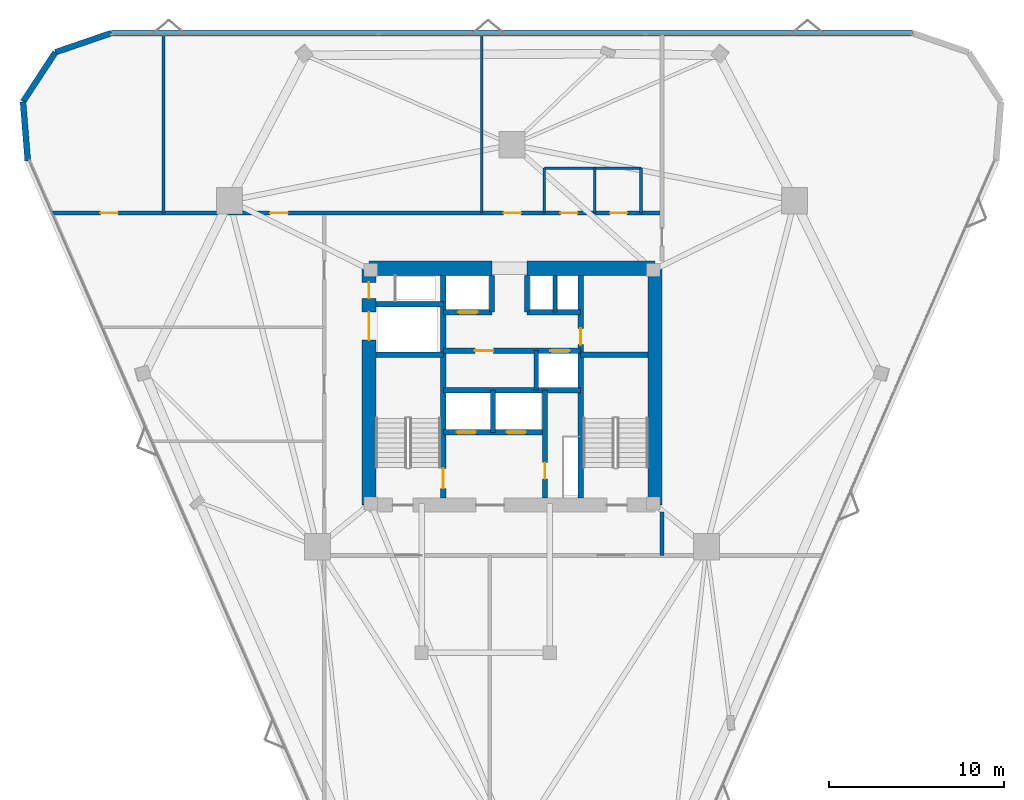
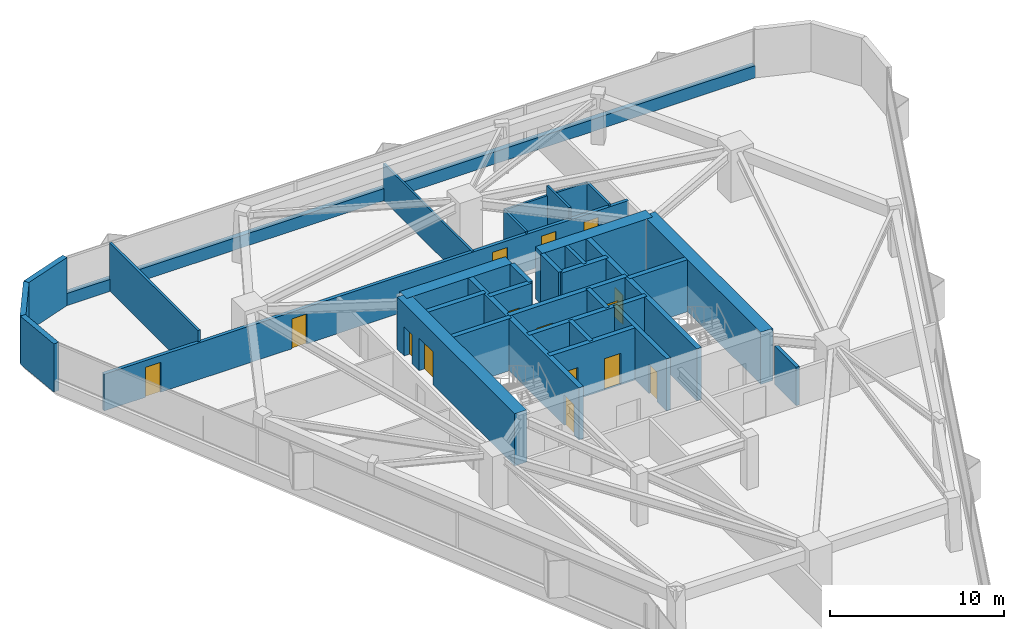
# One storey, part 9 of 11: 32 walls, 15 doors, 15 openings.
"""IFC4 building model written with IfcOpenShell, lengths in metres."""

from ifc_helpers import new_model, si_unit, direction, frame, frame_2d, origin, place, context, subcontext, project, spatial, rectangle, extrude, material, layer, layer_set, type_object, element, fill, save


model = new_model("IFC4")

# Units and contexts
model_context = context("Model", 3, precision=1e-05, world=origin(), true_north=direction((0.0, 1.0)))
body_context = subcontext(model_context, "Body", "Model", "MODEL_VIEW")
ifc_project = project(units=[si_unit("LENGTHUNIT", "METRE"), si_unit("AREAUNIT", "SQUARE_METRE"), si_unit("VOLUMEUNIT", "CUBIC_METRE"), si_unit("PLANEANGLEUNIT", "RADIAN"), si_unit("MASSUNIT", "GRAM", prefix="KILO")], contexts=[model_context])

# Site, building, storey
site_placement = place(None, origin())
site = spatial("IfcSite", under=ifc_project, at=site_placement, CompositionType="ELEMENT")
building_placement = place(site_placement, origin())
building = spatial("IfcBuilding", under=site, at=building_placement, Name="Talyreon Biosciences Tower", CompositionType="ELEMENT")
storey_placement = place(building_placement, frame((0.0, 0.0, 160.050048828125)))
storey = spatial("IfcBuildingStorey", under=building, at=storey_placement, Name="L42", CompositionType="ELEMENT", Elevation=160.050048828125)

# Walls
ifc_material_1 = material(Name="Concrete C50/60", Category="concrete")
ifc_layer_1 = layer(ifc_material_1, 0.219970703125)
ifc_layer_set_1 = layer_set([ifc_layer_1], Name="Concrete C50/60")
wall_type_1 = type_object("IfcWallType", Name="CoreShearWall_220", PredefinedType="SHEAR", material=ifc_layer_set_1)
wall_1_placement = place(storey_placement, frame((68.4599609375, 72.25, 0.0), z_axis=(0.0, 0.0, 1.0), x_axis=(0.0, 1.0, 0.0)))
element("IfcWall", 1, at=wall_1_placement, inside=storey, type_object=wall_type_1, Name="L42 Core Shaft Wall SWPHD", PredefinedType="SHEAR", context=body_context, shape_type="SweptSolid", body=[
    extrude(rectangle(XDim=2.10009765625, YDim=0.219970703125, at=frame_2d((1.050048828125, 0.0))), origin(), (0.0, 0.0, 1.0), 3.64990234375),
])
ifc_layer_2 = layer(ifc_material_1, 0.280029296875)
ifc_layer_set_2 = layer_set([ifc_layer_2], Name="Concrete C50/60")
wall_type_2 = type_object("IfcWallType", Name="CoreShearWall_280", PredefinedType="SHEAR", material=ifc_layer_set_2)
wall_2_placement = place(storey_placement, frame((64.919921875, 65.39990234375, 0.0), z_axis=(0.0, 0.0, 1.0), x_axis=(0.0, 1.0, 0.0)))
element("IfcWall", 2, at=wall_2_placement, inside=storey, type_object=wall_type_2, Name="L42 Core Shaft Wall SWSHD1", PredefinedType="SHEAR", context=body_context, shape_type="SweptSolid", body=[
    extrude(rectangle(XDim=2.400146484375, YDim=0.280029296875, at=frame_2d((1.2001953125, 0.0))), origin(), (0.0, 0.0, 1.0), 3.64990234375),
])
for number, where, z_axis, x_axis, name in (
    (3, (64.85009765625, 72.25, 0.0), (0.0, 0.0, 1.0), (0.0, 1.0, 0.0), "L42 Core Shaft Wall SWTHW"),
    (4, (66.85009765625, 72.25, 0.0), (0.0, 0.0, 1.0), (0.0, 1.0, 0.0), "L42 Core Shaft Wall SWTHE"),
):
    element("IfcWall", number, at=place(storey_placement, frame(where, z_axis=z_axis, x_axis=x_axis)), inside=storey, type_object=wall_type_2, Name=name, PredefinedType="SHEAR", context=body_context, shape_type="SweptSolid", body=[
        extrude(rectangle(XDim=2.10009765625, YDim=0.280029296875, at=frame_2d((1.050048828125, 0.0))), origin(), (0.0, 0.0, 1.0), 3.64990234375),
    ])

# Wall, opening, door
wall_3_placement = place(storey_placement, frame((67.8798828125, 61.64990234375, 0.0), z_axis=(0.0, 0.0, 1.0), x_axis=(0.0, 1.0, 0.0)))
wall_3 = element("IfcWall", 5, at=wall_3_placement, inside=storey, type_object=wall_type_2, Name="L42 Core Shaft Wall SWFFE", PredefinedType="SHEAR", context=body_context, shape_type="SweptSolid", body=[
    extrude(rectangle(XDim=6.150146484375, YDim=0.280029296875, at=frame_2d((3.0751953125, 0.0))), origin(), (0.0, 0.0, 1.0), 3.64990234375),
])
opening_1_placement = place(wall_3_placement, frame((1.10009765625, 0.0, 0.0)))
opening_1 = element("IfcOpeningElement", 6, at=opening_1_placement, cuts=wall_3, Name="Opening DR-L42-RSE", PredefinedType="OPENING", context=body_context, shape_type="SweptSolid", body=[
    extrude(rectangle(XDim=0.919921875, YDim=2.050048828125, at=frame_2d((0.4599609375, 1.02490234375))), frame((0.0, 0.14990234375, 0.0), z_axis=(0.0, -1.0, 0.0), x_axis=(1.0, 0.0, 0.0)), (0.0, 0.0, 1.0), 0.300048828125),
])
ifc_material_2 = material(Name="Painted steel fire-rated riser door", Category="steel")
door_type_1 = type_object("IfcDoorType", Name="RiserPlantAccessDoor_920x2050", OperationType="NOTDEFINED", PredefinedType="DOOR", material=ifc_material_2)
door_1_placement = place(opening_1_placement, origin())
door_1 = element("IfcDoor", 7, at=door_1_placement, inside=storey, type_object=door_type_1, Name="L42 Core Door DR-L42-RSE", OperationType="SINGLE_SWING_RIGHT", OverallHeight=2.050048828125, OverallWidth=0.919921875, PredefinedType="DOOR", context=body_context, shape_type="SweptSolid", body=[
    extrude(rectangle(XDim=0.919921875, YDim=2.050048828125, at=frame_2d((0.4599609375, 1.02490234375))), frame((0.0, 0.02490234375, 0.0), z_axis=(0.0, -1.0, 0.0), x_axis=(1.0, 0.0, 0.0)), (0.0, 0.0, 1.0), 0.050048828125),
])
fill(opening_1, door_1)

# Wall
wall_4_placement = place(storey_placement, frame((67.3798828125, 67.800048828125, 0.0), z_axis=(0.0, 0.0, 1.0), x_axis=(0.0, 1.0, 0.0)))
element("IfcWall", 8, at=wall_4_placement, inside=storey, type_object=wall_type_2, Name="L42 Core Shaft Wall SWPMD", PredefinedType="SHEAR", context=body_context, shape_type="SweptSolid", body=[
    extrude(rectangle(XDim=2.25, YDim=0.280029296875, at=frame_2d((1.125, 0.0))), origin(), (0.0, 0.0, 1.0), 3.64990234375),
])

# Wall, opening, door
ifc_layer_3 = layer(ifc_material_1, 0.320068359375)
ifc_layer_set_3 = layer_set([ifc_layer_3], Name="Concrete C50/60")
wall_type_3 = type_object("IfcWallType", Name="CoreShearWall_320", PredefinedType="SHEAR", material=ifc_layer_set_3)
wall_5_placement = place(storey_placement, frame((62.090087890625, 61.64990234375, 0.0), z_axis=(0.0, 0.0, 1.0), x_axis=(0.0, 1.0, 0.0)))
wall_5 = element("IfcWall", 9, at=wall_5_placement, inside=storey, type_object=wall_type_3, Name="L42 Core Shaft Wall SW1E", PredefinedType="SHEAR", context=body_context, shape_type="SweptSolid", body=[
    extrude(rectangle(XDim=12.7001953125, YDim=0.320068359375, at=frame_2d((6.35009765625, 0.0))), origin(), (0.0, 0.0, 1.0), 3.64990234375),
])
opening_2_placement = place(wall_5_placement, frame((0.550048828125, 0.0, 0.0)))
opening_2 = element("IfcOpeningElement", 10, at=opening_2_placement, cuts=wall_5, Name="Opening DR-L42-FF-ST1", PredefinedType="OPENING", context=body_context, shape_type="SweptSolid", body=[
    extrude(rectangle(XDim=1.14990234375, YDim=2.14990234375, at=frame_2d((0.574951171875, 1.074951171875))), frame((0.0, 0.169921875, 0.0), z_axis=(0.0, -1.0, 0.0), x_axis=(1.0, 0.0, 0.0)), (0.0, 0.0, 1.0), 0.340087890625),
])
ifc_material_3 = material(Name="Painted steel fire door", Category="steel")
door_type_2 = type_object("IfcDoorType", Name="StairShaftFireDoor_1150x2150", OperationType="NOTDEFINED", PredefinedType="DOOR", material=ifc_material_3)
door_2_placement = place(opening_2_placement, origin())
door_2 = element("IfcDoor", 11, at=door_2_placement, inside=storey, type_object=door_type_2, Name="L42 Core Door DR-L42-FF-ST1", OperationType="SINGLE_SWING_LEFT", OverallHeight=2.14990234375, OverallWidth=1.14990234375, PredefinedType="DOOR", context=body_context, shape_type="SweptSolid", body=[
    extrude(rectangle(XDim=1.14990234375, YDim=2.14990234375, at=frame_2d((0.574951171875, 1.074951171875))), frame((0.0, 0.02490234375, 0.0), z_axis=(0.0, -1.0, 0.0), x_axis=(1.0, 0.0, 0.0)), (0.0, 0.0, 1.0), 0.050048828125),
])
fill(opening_2, door_2)

wall_6_placement = place(storey_placement, frame((69.909912109375, 61.64990234375, 0.0), z_axis=(0.0, 0.0, 1.0), x_axis=(0.0, 1.0, 0.0)))
wall_6 = element("IfcWall", 12, at=wall_6_placement, inside=storey, type_object=wall_type_3, Name="L42 Core Shaft Wall SW2W", PredefinedType="SHEAR", context=body_context, shape_type="SweptSolid", body=[
    extrude(rectangle(XDim=12.7001953125, YDim=0.320068359375, at=frame_2d((6.35009765625, 0.0))), origin(), (0.0, 0.0, 1.0), 3.64990234375),
])
opening_3_placement = place(wall_6_placement, frame((8.75, 0.0, 0.0)))
opening_3 = element("IfcOpeningElement", 13, at=opening_3_placement, cuts=wall_6, Name="Opening DR-L42-CSRV", PredefinedType="OPENING", context=body_context, shape_type="SweptSolid", body=[
    extrude(rectangle(XDim=0.919921875, YDim=2.050048828125, at=frame_2d((0.4599609375, 1.02490234375))), frame((0.0, 0.169921875, 0.0), z_axis=(0.0, -1.0, 0.0), x_axis=(1.0, 0.0, 0.0)), (0.0, 0.0, 1.0), 0.340087890625),
])
door_3_placement = place(opening_3_placement, origin())
door_3 = element("IfcDoor", 14, at=door_3_placement, inside=storey, type_object=door_type_1, Name="L42 Core Door DR-L42-CSRV", OperationType="SINGLE_SWING_RIGHT", OverallHeight=2.050048828125, OverallWidth=0.919921875, PredefinedType="DOOR", context=body_context, shape_type="SweptSolid", body=[
    extrude(rectangle(XDim=0.919921875, YDim=2.050048828125, at=frame_2d((0.4599609375, 1.02490234375))), frame((0.0, 0.02490234375, 0.0), z_axis=(0.0, -1.0, 0.0), x_axis=(1.0, 0.0, 0.0)), (0.0, 0.0, 1.0), 0.050048828125),
])
fill(opening_3, door_3)

# Walls
for number, where, z_axis, x_axis, name in (
    (15, (58.25, 69.81005859375, 0.0), (0.0, 0.0, 1.0), (1.0, 0.0, 0.0), "L42 Core Shaft Wall SW1N"),
    (16, (69.909912109375, 69.81005859375, 0.0), (0.0, 0.0, 1.0), (1.0, 0.0, 0.0), "L42 Core Shaft Wall SW2N"),
    (17, (58.25, 72.699951171875, 0.0), (0.0, 0.0, 1.0), (1.0, 0.0, 0.0), "L42 Core Shaft Wall SWGLN"),
):
    element("IfcWall", number, at=place(storey_placement, frame(where, z_axis=z_axis, x_axis=x_axis)), inside=storey, type_object=wall_type_3, Name=name, PredefinedType="SHEAR", context=body_context, shape_type="SweptSolid", body=[
        extrude(rectangle(XDim=3.840087890625, YDim=0.320068359375, at=frame_2d((1.919921875, 0.0))), origin(), (0.0, 0.0, 1.0), 3.64990234375),
    ])
wall_7_placement = place(storey_placement, frame((62.090087890625, 67.800048828125, 0.0), z_axis=(0.0, 0.0, 1.0), x_axis=(1.0, 0.0, 0.0)))
element("IfcWall", 18, at=wall_7_placement, inside=storey, type_object=wall_type_3, Name="L42 Core Shaft Wall SWSHM", PredefinedType="SHEAR", context=body_context, shape_type="SweptSolid", body=[
    extrude(rectangle(XDim=7.81982421875, YDim=0.320068359375, at=frame_2d((3.909912109375, 0.0))), origin(), (0.0, 0.0, 1.0), 3.64990234375),
])

# Wall, openings, doors
wall_8_placement = place(storey_placement, frame((62.090087890625, 70.050048828125, 0.0), z_axis=(0.0, 0.0, 1.0), x_axis=(1.0, 0.0, 0.0)))
wall_8 = element("IfcWall", 19, at=wall_8_placement, inside=storey, type_object=wall_type_3, Name="L42 Core Shaft Wall SWSPN", PredefinedType="SHEAR", context=body_context, shape_type="SweptSolid", body=[
    extrude(rectangle(XDim=7.81982421875, YDim=0.320068359375, at=frame_2d((3.909912109375, 0.0))), origin(), (0.0, 0.0, 1.0), 3.64990234375),
])
opening_4_placement = place(wall_8_placement, frame((1.800048828125, 0.0, 0.0)))
opening_4 = element("IfcOpeningElement", 20, at=opening_4_placement, cuts=wall_8, Name="Opening DR-L42-PLFREE-A", PredefinedType="OPENING", context=body_context, shape_type="SweptSolid", body=[
    extrude(rectangle(XDim=1.050048828125, YDim=2.14990234375, at=frame_2d((0.52490234375, 1.074951171875))), frame((0.0, 0.169921875, 0.0), z_axis=(0.0, -1.0, 0.0), x_axis=(1.0, 0.0, 0.0)), (0.0, 0.0, 1.0), 0.340087890625),
])
opening_5_placement = place(wall_8_placement, frame((6.10009765625, 0.0, 0.0)))
opening_5 = element("IfcOpeningElement", 21, at=opening_5_placement, cuts=wall_8, Name="Opening LD-L42-PM1", PredefinedType="OPENING", context=body_context, shape_type="SweptSolid", body=[
    extrude(rectangle(XDim=1.10009765625, YDim=2.199951171875, at=frame_2d((0.550048828125, 1.10009765625))), frame((0.0, 0.169921875, 0.0), z_axis=(0.0, -1.0, 0.0), x_axis=(1.0, 0.0, 0.0)), (0.0, 0.0, 1.0), 0.340087890625),
])
ifc_material_4 = material(Name="Acoustic timber-core laboratory door", Category="wood")
door_type_3 = type_object("IfcDoorType", Name="DryLabSingleDoor_1050x2150", OperationType="NOTDEFINED", PredefinedType="DOOR", material=ifc_material_4)
door_4_placement = place(opening_4_placement, origin())
door_4 = element("IfcDoor", 22, at=door_4_placement, inside=storey, type_object=door_type_3, Name="L42 Core Door DR-L42-PLFREE-A", OperationType="SINGLE_SWING_LEFT", OverallHeight=2.14990234375, OverallWidth=1.050048828125, PredefinedType="DOOR", context=body_context, shape_type="SweptSolid", body=[
    extrude(rectangle(XDim=1.050048828125, YDim=2.14990234375, at=frame_2d((0.52490234375, 1.074951171875))), frame((0.0, 0.02490234375, 0.0), z_axis=(0.0, -1.0, 0.0), x_axis=(1.0, 0.0, 0.0)), (0.0, 0.0, 1.0), 0.050048828125),
])
fill(opening_4, door_4)
ifc_material_5 = material(Name="Brushed stainless-steel lift landing door", Category="steel")
door_type_4 = type_object("IfcDoorType", Name="LiftSlidingLandingDoor_1100x2200", OperationType="SLIDING_TO_LEFT", PredefinedType="DOOR", material=ifc_material_5)
door_5_placement = place(opening_5_placement, origin())
door_5 = element("IfcDoor", 23, at=door_5_placement, inside=storey, type_object=door_type_4, Name="L42 Core Door LD-L42-PM1", OperationType="SLIDING_TO_LEFT", OverallHeight=2.199951171875, OverallWidth=1.10009765625, PredefinedType="DOOR", context=body_context, shape_type="SweptSolid", body=[
    extrude(rectangle(XDim=1.10009765625, YDim=2.199951171875, at=frame_2d((0.550048828125, 1.10009765625))), frame((0.0, 0.02490234375, 0.0), z_axis=(0.0, -1.0, 0.0), x_axis=(1.0, 0.0, 0.0)), (0.0, 0.0, 1.0), 0.050048828125),
])
fill(opening_5, door_5)

# Wall, opening, door
wall_9_placement = place(storey_placement, frame((62.090087890625, 72.25, 0.0), z_axis=(0.0, 0.0, 1.0), x_axis=(1.0, 0.0, 0.0)))
wall_9 = element("IfcWall", 24, at=wall_9_placement, inside=storey, type_object=wall_type_3, Name="L42 Core Shaft Wall SWNPW", PredefinedType="SHEAR", context=body_context, shape_type="SweptSolid", body=[
    extrude(rectangle(XDim=2.760009765625, YDim=0.320068359375, at=frame_2d((1.3798828125, 0.0))), origin(), (0.0, 0.0, 1.0), 3.64990234375),
])
opening_6_placement = place(wall_9_placement, frame((0.85009765625, 0.0, 0.0)))
opening_6 = element("IfcOpeningElement", 25, at=opening_6_placement, cuts=wall_9, Name="Opening LD-L42-PM2", PredefinedType="OPENING", context=body_context, shape_type="SweptSolid", body=[
    extrude(rectangle(XDim=1.10009765625, YDim=2.199951171875, at=frame_2d((0.550048828125, 1.10009765625))), frame((0.0, 0.169921875, 0.0), z_axis=(0.0, -1.0, 0.0), x_axis=(1.0, 0.0, 0.0)), (0.0, 0.0, 1.0), 0.340087890625),
])
door_6_placement = place(opening_6_placement, origin())
door_6 = element("IfcDoor", 26, at=door_6_placement, inside=storey, type_object=door_type_4, Name="L42 Core Door LD-L42-PM2", OperationType="SLIDING_TO_LEFT", OverallHeight=2.199951171875, OverallWidth=1.10009765625, PredefinedType="DOOR", context=body_context, shape_type="SweptSolid", body=[
    extrude(rectangle(XDim=1.10009765625, YDim=2.199951171875, at=frame_2d((0.550048828125, 1.10009765625))), frame((0.0, 0.02490234375, 0.0), z_axis=(0.0, -1.0, 0.0), x_axis=(1.0, 0.0, 0.0)), (0.0, 0.0, 1.0), 0.050048828125),
])
fill(opening_6, door_6)

# Wall
wall_10_placement = place(storey_placement, frame((66.85009765625, 72.25, 0.0), z_axis=(0.0, 0.0, 1.0), x_axis=(1.0, 0.0, 0.0)))
element("IfcWall", 27, at=wall_10_placement, inside=storey, type_object=wall_type_3, Name="L42 Core Shaft Wall SWNPE", PredefinedType="SHEAR", context=body_context, shape_type="SweptSolid", body=[
    extrude(rectangle(XDim=3.059814453125, YDim=0.320068359375, at=frame_2d((1.52978515625, 0.0))), origin(), (0.0, 0.0, 1.0), 3.64990234375),
])

# Wall, openings, doors
wall_11_placement = place(storey_placement, frame((62.090087890625, 65.39990234375, 0.0), z_axis=(0.0, 0.0, 1.0), x_axis=(1.0, 0.0, 0.0)))
wall_11 = element("IfcWall", 28, at=wall_11_placement, inside=storey, type_object=wall_type_3, Name="L42 Core Shaft Wall SWFFN", PredefinedType="SHEAR", context=body_context, shape_type="SweptSolid", body=[
    extrude(rectangle(XDim=5.789794921875, YDim=0.320068359375, at=frame_2d((2.89501953125, 0.0))), origin(), (0.0, 0.0, 1.0), 3.64990234375),
])
opening_7_placement = place(wall_11_placement, frame((0.75, 0.0, 0.0)))
opening_7 = element("IfcOpeningElement", 29, at=opening_7_placement, cuts=wall_11, Name="Opening LD-L42-FL1", PredefinedType="OPENING", context=body_context, shape_type="SweptSolid", body=[
    extrude(rectangle(XDim=1.10009765625, YDim=2.199951171875, at=frame_2d((0.550048828125, 1.10009765625))), frame((0.0, 0.169921875, 0.0), z_axis=(0.0, -1.0, 0.0), x_axis=(1.0, 0.0, 0.0)), (0.0, 0.0, 1.0), 0.340087890625),
])
opening_8_placement = place(wall_11_placement, frame((3.60009765625, 0.0, 0.0)))
opening_8 = element("IfcOpeningElement", 30, at=opening_8_placement, cuts=wall_11, Name="Opening LD-L42-FL2", PredefinedType="OPENING", context=body_context, shape_type="SweptSolid", body=[
    extrude(rectangle(XDim=1.10009765625, YDim=2.199951171875, at=frame_2d((0.550048828125, 1.10009765625))), frame((0.0, 0.169921875, 0.0), z_axis=(0.0, -1.0, 0.0), x_axis=(1.0, 0.0, 0.0)), (0.0, 0.0, 1.0), 0.340087890625),
])
door_7_placement = place(opening_7_placement, origin())
door_7 = element("IfcDoor", 31, at=door_7_placement, inside=storey, type_object=door_type_4, Name="L42 Core Door LD-L42-FL1", OperationType="SLIDING_TO_LEFT", OverallHeight=2.199951171875, OverallWidth=1.10009765625, PredefinedType="DOOR", context=body_context, shape_type="SweptSolid", body=[
    extrude(rectangle(XDim=1.10009765625, YDim=2.199951171875, at=frame_2d((0.550048828125, 1.10009765625))), frame((0.0, 0.02490234375, 0.0), z_axis=(0.0, -1.0, 0.0), x_axis=(1.0, 0.0, 0.0)), (0.0, 0.0, 1.0), 0.050048828125),
])
fill(opening_7, door_7)
door_8_placement = place(opening_8_placement, origin())
door_8 = element("IfcDoor", 32, at=door_8_placement, inside=storey, type_object=door_type_4, Name="L42 Core Door LD-L42-FL2", OperationType="SLIDING_TO_LEFT", OverallHeight=2.199951171875, OverallWidth=1.10009765625, PredefinedType="DOOR", context=body_context, shape_type="SweptSolid", body=[
    extrude(rectangle(XDim=1.10009765625, YDim=2.199951171875, at=frame_2d((0.550048828125, 1.10009765625))), frame((0.0, 0.02490234375, 0.0), z_axis=(0.0, -1.0, 0.0), x_axis=(1.0, 0.0, 0.0)), (0.0, 0.0, 1.0), 0.050048828125),
])
fill(opening_8, door_8)

# Walls
ifc_material_6 = material(Name="Concrete C60/75", Category="concrete")
ifc_layer_4 = layer(ifc_material_6, 0.800048828125)
ifc_layer_set_4 = layer_set([ifc_layer_4], Name="Concrete C60/75")
wall_type_4 = type_object("IfcWallType", Name="CoreShearWall_800", PredefinedType="SHEAR", material=ifc_layer_set_4)
wall_12_placement = place(storey_placement, frame((74.14990234375, 61.25, 0.0), z_axis=(0.0, 0.0, 1.0), x_axis=(0.0, 1.0, 0.0)))
element("IfcWall", 33, at=wall_12_placement, inside=storey, type_object=wall_type_4, Name="L42 Core Shear Wall E", PredefinedType="SHEAR", context=body_context, shape_type="SweptSolid", body=[
    extrude(rectangle(XDim=13.5, YDim=0.800048828125, at=frame_2d((6.75, 0.0))), origin(), (0.0, 0.0, 1.0), 3.64990234375),
])
wall_13_placement = place(storey_placement, frame((74.14990234375, 74.75, 0.0), z_axis=(0.0, 0.0, 1.0), x_axis=(-1.0, 0.0, 0.0)))
element("IfcWall", 34, at=wall_13_placement, inside=storey, type_object=wall_type_4, Name="L42 Core Shear Wall NE", PredefinedType="SHEAR", context=body_context, shape_type="SweptSolid", body=[
    extrude(rectangle(XDim=7.2998046875, YDim=0.800048828125, at=frame_2d((3.64990234375, 0.0))), origin(), (0.0, 0.0, 1.0), 3.64990234375),
])
wall_14_placement = place(storey_placement, frame((64.85009765625, 74.75, 0.0), z_axis=(0.0, 0.0, 1.0), x_axis=(-1.0, 0.0, 0.0)))
element("IfcWall", 35, at=wall_14_placement, inside=storey, type_object=wall_type_4, Name="L42 Core Shear Wall NW", PredefinedType="SHEAR", context=body_context, shape_type="SweptSolid", body=[
    extrude(rectangle(XDim=7.0, YDim=0.800048828125, at=frame_2d((3.5, 0.0))), origin(), (0.0, 0.0, 1.0), 3.64990234375),
])

# Wall, openings, doors
wall_15_placement = place(storey_placement, frame((57.85009765625, 74.75, 0.0), z_axis=(0.0, 0.0, 1.0), x_axis=(0.0, -1.0, 0.0)))
wall_15 = element("IfcWall", 36, at=wall_15_placement, inside=storey, type_object=wall_type_4, Name="L42 Core Shear Wall W", PredefinedType="SHEAR", context=body_context, shape_type="SweptSolid", body=[
    extrude(rectangle(XDim=13.5, YDim=0.800048828125, at=frame_2d((6.75, 0.0))), origin(), (0.0, 0.0, 1.0), 3.64990234375),
])
opening_9_placement = place(wall_15_placement, frame((0.800048828125, 0.0, 0.0)))
opening_9 = element("IfcOpeningElement", 37, at=opening_9_placement, cuts=wall_15, Name="Opening DR-L42-RSW", PredefinedType="OPENING", context=body_context, shape_type="SweptSolid", body=[
    extrude(rectangle(XDim=0.919921875, YDim=2.050048828125, at=frame_2d((0.4599609375, 1.02490234375))), frame((0.0, 0.409912109375, 0.0), z_axis=(0.0, -1.0, 0.0), x_axis=(1.0, 0.0, 0.0)), (0.0, 0.0, 1.0), 0.820068359375),
])
opening_10_placement = place(wall_15_placement, frame((2.5, 0.0, 0.0)))
opening_10 = element("IfcOpeningElement", 38, at=opening_10_placement, cuts=wall_15, Name="Opening LD-L42-GL1", PredefinedType="OPENING", context=body_context, shape_type="SweptSolid", body=[
    extrude(rectangle(XDim=1.60009765625, YDim=2.300048828125, at=frame_2d((0.800048828125, 1.14990234375))), frame((0.0, 0.409912109375, 0.0), z_axis=(0.0, -1.0, 0.0), x_axis=(1.0, 0.0, 0.0)), (0.0, 0.0, 1.0), 0.820068359375),
])
ifc_material_7 = material(Name="Heavy-duty stainless-steel goods lift door", Category="steel")
door_type_5 = type_object("IfcDoorType", Name="GoodsLiftSlidingDoor_1600x2300", OperationType="DOUBLE_DOOR_SLIDING", PredefinedType="DOOR", material=ifc_material_7)
door_9_placement = place(opening_10_placement, origin())
door_9 = element("IfcDoor", 39, at=door_9_placement, inside=storey, type_object=door_type_5, Name="L42 Core Door LD-L42-GL1", OperationType="DOUBLE_DOOR_SLIDING", OverallHeight=2.300048828125, OverallWidth=1.60009765625, PredefinedType="DOOR", context=body_context, shape_type="SweptSolid", body=[
    extrude(rectangle(XDim=1.60009765625, YDim=2.300048828125, at=frame_2d((0.800048828125, 1.14990234375))), frame((0.0, 0.02490234375, 0.0), z_axis=(0.0, -1.0, 0.0), x_axis=(1.0, 0.0, 0.0)), (0.0, 0.0, 1.0), 0.050048828125),
])
fill(opening_10, door_9)
door_10_placement = place(opening_9_placement, origin())
door_10 = element("IfcDoor", 40, at=door_10_placement, inside=storey, type_object=door_type_1, Name="L42 Core Door DR-L42-RSW", OperationType="SINGLE_SWING_LEFT", OverallHeight=2.050048828125, OverallWidth=0.919921875, PredefinedType="DOOR", context=body_context, shape_type="SweptSolid", body=[
    extrude(rectangle(XDim=0.919921875, YDim=2.050048828125, at=frame_2d((0.4599609375, 1.02490234375))), frame((0.0, 0.02490234375, 0.0), z_axis=(0.0, -1.0, 0.0), x_axis=(1.0, 0.0, 0.0)), (0.0, 0.0, 1.0), 0.050048828125),
])
fill(opening_9, door_10)

ifc_material_8 = material(Name="Gypsum fireboard acoustic stud", Category="gypsum")
ifc_layer_5 = layer(ifc_material_8, 0.219970703125)
ifc_layer_set_5 = layer_set([ifc_layer_5], Name="Gypsum fireboard acoustic stud")
wall_type_5 = type_object("IfcWallType", Name="CorridorRatedPartition_220", PredefinedType="PARTITIONING", material=ifc_layer_set_5)
wall_16_placement = place(storey_placement, frame((39.79541015625, 77.89990234375, 0.0), z_axis=(0.0, 0.0, 1.0), x_axis=(1.0, 0.0, 0.0)))
wall_16 = element("IfcWall", 41, at=wall_16_placement, inside=storey, type_object=wall_type_5, Name="L42 Interior Wall IW-L42-COR-N", PredefinedType="PARTITIONING", context=body_context, shape_type="SweptSolid", body=[
    extrude(rectangle(XDim=34.754638671875, YDim=0.219970703125, at=frame_2d((17.37744140625, 0.0))), origin(), (0.0, 0.0, 1.0), 2.574951171875),
])
opening_11_placement = place(wall_16_placement, frame((28.965087890625, 0.0, 0.0)))
opening_11 = element("IfcOpeningElement", 42, at=opening_11_placement, cuts=wall_16, Name="Opening DR-L42-WC", PredefinedType="OPENING", context=body_context, shape_type="SweptSolid", body=[
    extrude(rectangle(XDim=0.97998046875, YDim=2.10009765625, at=frame_2d((0.489990234375, 1.050048828125))), frame((0.0, 0.119873046875, 0.0), z_axis=(0.0, -1.0, 0.0), x_axis=(1.0, 0.0, 0.0)), (0.0, 0.0, 1.0), 0.239990234375),
])
opening_12_placement = place(wall_16_placement, frame((31.7900390625, 0.0, 0.0)))
opening_12 = element("IfcOpeningElement", 43, at=opening_12_placement, cuts=wall_16, Name="Opening DR-L42-AWC", PredefinedType="OPENING", context=body_context, shape_type="SweptSolid", body=[
    extrude(rectangle(XDim=0.97998046875, YDim=2.10009765625, at=frame_2d((0.489990234375, 1.050048828125))), frame((0.0, 0.119873046875, 0.0), z_axis=(0.0, -1.0, 0.0), x_axis=(1.0, 0.0, 0.0)), (0.0, 0.0, 1.0), 0.239990234375),
])
opening_13_placement = place(wall_16_placement, frame((2.75, 0.0, 0.0)))
opening_13 = element("IfcOpeningElement", 44, at=opening_13_placement, cuts=wall_16, Name="Opening DR-L42-N1A", PredefinedType="OPENING", context=body_context, shape_type="SweptSolid", body=[
    extrude(rectangle(XDim=1.0, YDim=2.10009765625, at=frame_2d((0.5, 1.050048828125))), frame((0.0, 0.119873046875, 0.0), z_axis=(0.0, -1.0, 0.0), x_axis=(1.0, 0.0, 0.0)), (0.0, 0.0, 1.0), 0.239990234375),
])
opening_14_placement = place(wall_16_placement, frame((12.428955078125, 0.0, 0.0)))
opening_14 = element("IfcOpeningElement", 45, at=opening_14_placement, cuts=wall_16, Name="Opening DR-L42-N2A", PredefinedType="OPENING", context=body_context, shape_type="SweptSolid", body=[
    extrude(rectangle(XDim=1.0, YDim=2.10009765625, at=frame_2d((0.5, 1.050048828125))), frame((0.0, 0.119873046875, 0.0), z_axis=(0.0, -1.0, 0.0), x_axis=(1.0, 0.0, 0.0)), (0.0, 0.0, 1.0), 0.239990234375),
])
opening_15_placement = place(wall_16_placement, frame((25.73095703125, 0.0, 0.0)))
opening_15 = element("IfcOpeningElement", 46, at=opening_15_placement, cuts=wall_16, Name="Opening DR-L42-N3A", PredefinedType="OPENING", context=body_context, shape_type="SweptSolid", body=[
    extrude(rectangle(XDim=1.0, YDim=2.10009765625, at=frame_2d((0.5, 1.050048828125))), frame((0.0, 0.119873046875, 0.0), z_axis=(0.0, -1.0, 0.0), x_axis=(1.0, 0.0, 0.0)), (0.0, 0.0, 1.0), 0.239990234375),
])
ifc_material_9 = material(Name="Laminate moisture-resistant door", Category="wood")
door_type_6 = type_object("IfcDoorType", Name="AccessibleToiletDoor_980x2100", OperationType="NOTDEFINED", PredefinedType="DOOR", material=ifc_material_9)
door_11_placement = place(opening_11_placement, origin())
door_11 = element("IfcDoor", 47, at=door_11_placement, inside=storey, type_object=door_type_6, Name="L42 Interior Door DR-L42-WC", OperationType="SINGLE_SWING_RIGHT", OverallHeight=2.10009765625, OverallWidth=0.97998046875, PredefinedType="DOOR", context=body_context, shape_type="SweptSolid", body=[
    extrude(rectangle(XDim=0.97998046875, YDim=2.10009765625, at=frame_2d((0.489990234375, 1.050048828125))), frame((0.0, 0.02490234375, 0.0), z_axis=(0.0, -1.0, 0.0), x_axis=(1.0, 0.0, 0.0)), (0.0, 0.0, 1.0), 0.050048828125),
])
fill(opening_11, door_11)
door_12_placement = place(opening_12_placement, origin())
door_12 = element("IfcDoor", 48, at=door_12_placement, inside=storey, type_object=door_type_6, Name="L42 Interior Door DR-L42-AWC", OperationType="SINGLE_SWING_LEFT", OverallHeight=2.10009765625, OverallWidth=0.97998046875, PredefinedType="DOOR", context=body_context, shape_type="SweptSolid", body=[
    extrude(rectangle(XDim=0.97998046875, YDim=2.10009765625, at=frame_2d((0.489990234375, 1.050048828125))), frame((0.0, 0.02490234375, 0.0), z_axis=(0.0, -1.0, 0.0), x_axis=(1.0, 0.0, 0.0)), (0.0, 0.0, 1.0), 0.050048828125),
])
fill(opening_12, door_12)
ifc_material_10 = material(Name="Acoustic oak veneer office door", Category="wood")
door_type_7 = type_object("IfcDoorType", Name="WriteupOfficeDoor_1000x2100", OperationType="NOTDEFINED", PredefinedType="DOOR", material=ifc_material_10)
door_13_placement = place(opening_13_placement, origin())
door_13 = element("IfcDoor", 49, at=door_13_placement, inside=storey, type_object=door_type_7, Name="L42 Interior Door DR-L42-N1A", OperationType="SINGLE_SWING_RIGHT", OverallHeight=2.10009765625, OverallWidth=1.0, PredefinedType="DOOR", context=body_context, shape_type="SweptSolid", body=[
    extrude(rectangle(XDim=1.0, YDim=2.10009765625, at=frame_2d((0.5, 1.050048828125))), frame((0.0, 0.02490234375, 0.0), z_axis=(0.0, -1.0, 0.0), x_axis=(1.0, 0.0, 0.0)), (0.0, 0.0, 1.0), 0.050048828125),
])
fill(opening_13, door_13)
door_14_placement = place(opening_14_placement, origin())
door_14 = element("IfcDoor", 50, at=door_14_placement, inside=storey, type_object=door_type_7, Name="L42 Interior Door DR-L42-N2A", OperationType="SINGLE_SWING_RIGHT", OverallHeight=2.10009765625, OverallWidth=1.0, PredefinedType="DOOR", context=body_context, shape_type="SweptSolid", body=[
    extrude(rectangle(XDim=1.0, YDim=2.10009765625, at=frame_2d((0.5, 1.050048828125))), frame((0.0, 0.02490234375, 0.0), z_axis=(0.0, -1.0, 0.0), x_axis=(1.0, 0.0, 0.0)), (0.0, 0.0, 1.0), 0.050048828125),
])
fill(opening_14, door_14)
door_15_placement = place(opening_15_placement, origin())
door_15 = element("IfcDoor", 51, at=door_15_placement, inside=storey, type_object=door_type_7, Name="L42 Interior Door DR-L42-N3A", OperationType="SINGLE_SWING_LEFT", OverallHeight=2.10009765625, OverallWidth=1.0, PredefinedType="DOOR", context=body_context, shape_type="SweptSolid", body=[
    extrude(rectangle(XDim=1.0, YDim=2.10009765625, at=frame_2d((0.5, 1.050048828125))), frame((0.0, 0.02490234375, 0.0), z_axis=(0.0, -1.0, 0.0), x_axis=(1.0, 0.0, 0.0)), (0.0, 0.0, 1.0), 0.050048828125),
])
fill(opening_15, door_15)

# Walls
wall_17_placement = place(storey_placement, frame((74.550048828125, 58.3798828125, 0.0), z_axis=(0.0, 0.0, 1.0), x_axis=(0.0, 1.0, 0.0)))
element("IfcWall", 52, at=wall_17_placement, inside=storey, type_object=wall_type_5, Name="L42 Interior Wall IW-L42-ECAP-S", PredefinedType="PARTITIONING", context=body_context, shape_type="SweptSolid", body=[
    extrude(rectangle(XDim=2.47021484375, YDim=0.219970703125, at=frame_2d((1.235107421875, 0.0))), origin(), (0.0, 0.0, 1.0), 2.704833984375),
])
ifc_material_11 = material(Name="Gypsum acoustic stud partition", Category="gypsum")
ifc_layer_6 = layer(ifc_material_11, 0.159912109375)
ifc_layer_set_6 = layer_set([ifc_layer_6], Name="Gypsum acoustic stud partition")
wall_type_6 = type_object("IfcWallType", Name="LabSeparationPartition_160", PredefinedType="PARTITIONING", material=ifc_layer_set_6)
wall_18_placement = place(storey_placement, frame((46.14599609375, 77.89990234375, 0.0), z_axis=(0.0, 0.0, 1.0), x_axis=(0.0, 1.0, 0.0)))
element("IfcWall", 53, at=wall_18_placement, inside=storey, type_object=wall_type_6, Name="L42 Interior Wall IW-L42-NDIV1", PredefinedType="PARTITIONING", context=body_context, shape_type="SweptSolid", body=[
    extrude(rectangle(XDim=10.16748046875, YDim=0.159912109375, at=frame_2d((5.083740234375, 0.0))), origin(), (0.0, 0.0, 1.0), 3.375),
])
ifc_layer_7 = layer(ifc_material_11, 0.1298828125)
ifc_layer_set_7 = layer_set([ifc_layer_7], Name="Gypsum acoustic stud partition")
wall_type_7 = type_object("IfcWallType", Name="OfficeWriteupPartition_130", PredefinedType="PARTITIONING", material=ifc_layer_set_7)
wall_19_placement = place(storey_placement, frame((64.281982421875, 77.89990234375, 0.0), z_axis=(0.0, 0.0, 1.0), x_axis=(0.0, 1.0, 0.0)))
element("IfcWall", 54, at=wall_19_placement, inside=storey, type_object=wall_type_7, Name="L42 Interior Wall IW-L42-NDIV2", PredefinedType="PARTITIONING", context=body_context, shape_type="SweptSolid", body=[
    extrude(rectangle(XDim=10.16748046875, YDim=0.1298828125, at=frame_2d((5.083740234375, 0.0))), origin(), (0.0, 0.0, 1.0), 2.574951171875),
])
ifc_material_12 = material(Name="Precast concrete C45/55", Category="concrete")
ifc_layer_8 = layer(ifc_material_12, 0.340087890625)
ifc_layer_set_8 = layer_set([ifc_layer_8], Name="Precast concrete C45/55")
wall_type_8 = type_object("IfcWallType", Name="PrecastConcreteSpandrelWall_340", PredefinedType="STANDARD", material=ifc_layer_set_8)
for number, where, z_axis, x_axis, name in (
    (55, (38.406005859375, 80.875, 0.0), (0.0, 0.0, 1.0), (-0.080559330796, 0.99674981526, 0.0), "L42 Rounded-Corner Concrete Pier 01"),
    (56, (38.13427734375, 84.237060546875, 0.0), (0.0, 0.0, 1.0), (0.547933698605, 0.836521764172, 0.0), "L42 Rounded-Corner Concrete Pier 02"),
    (57, (39.982421875, 87.05859375, 0.0), (0.0, 0.0, 1.0), (0.945941504684, 0.324337277717, 0.0), "L42 Rounded-Corner Concrete Pier 03"),
):
    element("IfcWall", number, at=place(storey_placement, frame(where, z_axis=z_axis, x_axis=x_axis)), inside=storey, type_object=wall_type_8, Name=name, PredefinedType="STANDARD", context=body_context, shape_type="SweptSolid", body=[
        extrude(rectangle(XDim=3.373046875, YDim=0.340087890625, at=frame_2d((1.6865234375, 0.0))), origin(), (0.0, 0.0, 1.0), 3.375),
    ])
wall_20_placement = place(storey_placement, frame((43.173095703125, 88.152587890625, 0.0), z_axis=(0.0, 0.0, 1.0), x_axis=(1.0, 0.0, 0.0)))
element("IfcWall", 58, at=wall_20_placement, inside=storey, type_object=wall_type_8, Name="L42 Expressed Concrete Sill Wall 04", PredefinedType="STANDARD", context=body_context, shape_type="SweptSolid", body=[
    extrude(rectangle(XDim=45.65380859375, YDim=0.340087890625, at=frame_2d((22.826904296875, 0.0))), origin(), (0.0, 0.0, 1.0), 0.849853515625),
])
ifc_material_13 = material(Name="Moisture-resistant cement-board stud", Category="gypsum")
ifc_layer_9 = layer(ifc_material_13, 0.14501953125)
ifc_layer_set_9 = layer_set([ifc_layer_9], Name="Moisture-resistant cement-board stud")
wall_type_9 = type_object("IfcWallType", Name="WetRoomPartition_145", PredefinedType="PARTITIONING", material=ifc_layer_set_9)
wall_21_placement = place(storey_placement, frame((67.85009765625, 77.89990234375, 0.0), z_axis=(0.0, 0.0, 1.0), x_axis=(0.0, 1.0, 0.0)))
element("IfcWall", 59, at=wall_21_placement, inside=storey, type_object=wall_type_9, Name="L42 Interior Wall IW-L42-WCL", PredefinedType="PARTITIONING", context=body_context, shape_type="SweptSolid", body=[
    extrude(rectangle(XDim=2.550048828125, YDim=0.14501953125, at=frame_2d((1.27490234375, 0.0))), origin(), (0.0, 0.0, 1.0), 2.704833984375),
])
wall_22_placement = place(storey_placement, frame((70.72509765625, 77.89990234375, 0.0), z_axis=(0.0, 0.0, 1.0), x_axis=(0.0, 1.0, 0.0)))
element("IfcWall", 60, at=wall_22_placement, inside=storey, type_object=wall_type_9, Name="L42 Interior Wall IW-L42-WCM", PredefinedType="PARTITIONING", context=body_context, shape_type="SweptSolid", body=[
    extrude(rectangle(XDim=2.550048828125, YDim=0.14501953125, at=frame_2d((1.27490234375, 0.0))), origin(), (0.0, 0.0, 1.0), 3.375),
])
wall_23_placement = place(storey_placement, frame((73.35009765625, 77.89990234375, 0.0), z_axis=(0.0, 0.0, 1.0), x_axis=(0.0, 1.0, 0.0)))
element("IfcWall", 61, at=wall_23_placement, inside=storey, type_object=wall_type_9, Name="L42 Interior Wall IW-L42-WCR", PredefinedType="PARTITIONING", context=body_context, shape_type="SweptSolid", body=[
    extrude(rectangle(XDim=2.550048828125, YDim=0.14501953125, at=frame_2d((1.27490234375, 0.0))), origin(), (0.0, 0.0, 1.0), 2.704833984375),
])
wall_24_placement = place(storey_placement, frame((67.85009765625, 80.449951171875, 0.0), z_axis=(0.0, 0.0, 1.0), x_axis=(1.0, 0.0, 0.0)))
element("IfcWall", 62, at=wall_24_placement, inside=storey, type_object=wall_type_9, Name="L42 Interior Wall IW-L42-WCT", PredefinedType="PARTITIONING", context=body_context, shape_type="SweptSolid", body=[
    extrude(rectangle(XDim=5.5, YDim=0.14501953125, at=frame_2d((2.75, 0.0))), origin(), (0.0, 0.0, 1.0), 2.704833984375),
])

save(model, "model.ifc")
